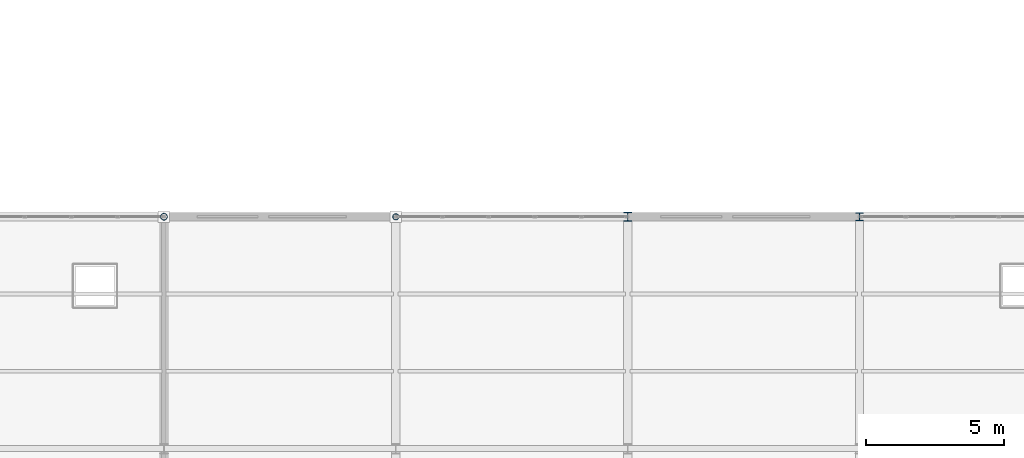
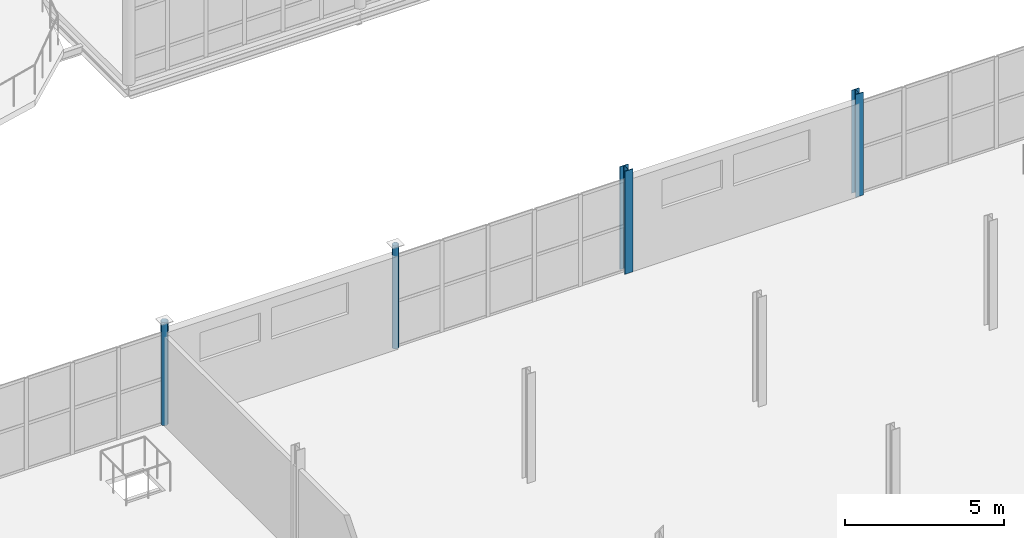
# One storey, part 20 of 163: 4 columns.
"""IFC4 building model written with IfcOpenShell, lengths in metres."""

import ifcopenshell
import ifcopenshell.guid

model = None  # the IFC model being written
_history = None  # IfcOwnerHistory: only IFC2X3 demands one
_inside = {}  # id of a spatial element -> (the spatial element, [elements in it])
_under = {}  # id of a project, library or spatial element -> (it, [spatial elements below it])
_declared = {}  # id of a project -> (the project, [libraries it declares])
_typed = {}  # id of a type object -> (the type object, [elements of that type])
_made_of = {}  # id of a material, layer set ... -> (it, [elements and type objects made of it])


def new_model(schema):
    """Start an empty IFC model of exactly this schema.

    Asked for "IFC4X3", IfcOpenShell would pick the latest addendum, in which some entities
    have other attributes; the version numbers below select the first issue.
    IFC2X3 requires an IfcOwnerHistory on every rooted entity: one is made here for all.
    """
    global model, _history
    if schema == "IFC4X3":
        model = ifcopenshell.file(schema_version=(4, 3, 0, 0))
    else:
        model = ifcopenshell.file(schema=schema)
    _inside.clear()
    _under.clear()
    _declared.clear()
    _typed.clear()
    _made_of.clear()
    _history = None
    if model.schema == "IFC2X3":
        org = make("IfcOrganization", Name="unknown")
        user = make(
            "IfcPersonAndOrganization",
            ThePerson=make("IfcPerson", FamilyName="unknown"),
            TheOrganization=org,
        )
        app = make(
            "IfcApplication",
            ApplicationDeveloper=org,
            Version="unknown",
            ApplicationFullName="unknown",
            ApplicationIdentifier="unknown",
        )
        _history = make(
            "IfcOwnerHistory",
            OwningUser=user,
            OwningApplication=app,
            ChangeAction="ADDED",
            CreationDate=0,
        )
    return model


def make(cls, **values):
    """One entity of the class cls with the attributes given. An attribute that is None is left unset."""
    return model.create_entity(
        cls, **{name: value for name, value in values.items() if value is not None}
    )


def rooted(cls, **values):
    """An entity with a GlobalId (a new one), such as an element, a storey or a relation."""
    return make(cls, GlobalId=ifcopenshell.guid.new(), OwnerHistory=_history, **values)


def si_unit(unit_type, name, prefix=None):
    """IfcSIUnit, for example si_unit("LENGTHUNIT", "METRE", prefix="MILLI")."""
    return make("IfcSIUnit", UnitType=unit_type, Prefix=prefix, Name=name)


def assignment(units):
    """IfcUnitAssignment: the units of a project."""
    return None if units is None else make("IfcUnitAssignment", Units=units)


def point(xyz):
    """IfcCartesianPoint."""
    return None if xyz is None else make("IfcCartesianPoint", Coordinates=xyz)


def direction(xyz):
    """IfcDirection."""
    return None if xyz is None else make("IfcDirection", DirectionRatios=xyz)


def frame(location, z_axis=None, x_axis=None):
    """IfcAxis2Placement3D, a coordinate frame: its origin and axes. An axis left out is left unset."""
    return make(
        "IfcAxis2Placement3D",
        Location=point(location),
        Axis=direction(z_axis),
        RefDirection=direction(x_axis),
    )


def frame_2d(location, x_axis=None):
    """IfcAxis2Placement2D, a coordinate frame in the plane: its origin and x axis."""
    return make(
        "IfcAxis2Placement2D", Location=point(location), RefDirection=direction(x_axis)
    )


def origin():
    """The frame at (0, 0, 0) with its axes left unset."""
    return frame((0.0, 0.0, 0.0))


def origin_2d():
    """The frame at (0, 0) in the plane with its x axis left unset."""
    return frame_2d((0.0, 0.0))


def place(relative_to, where):
    """IfcLocalPlacement: puts the frame where relative to a parent placement (None: the world)."""
    return make(
        "IfcLocalPlacement", PlacementRelTo=relative_to, RelativePlacement=where
    )


def context(
    kind, dimensions, precision=None, world=None, true_north=None, identifier=None
):
    """IfcGeometricRepresentationContext, for example the 3D "Model" context."""
    return make(
        "IfcGeometricRepresentationContext",
        ContextIdentifier=identifier,
        ContextType=kind,
        CoordinateSpaceDimension=dimensions,
        Precision=precision,
        WorldCoordinateSystem=world,
        TrueNorth=true_north,
    )


def subcontext(parent, identifier, kind, view, scale=None):
    """IfcGeometricRepresentationSubContext, for example "Body" below "Model"."""
    return make(
        "IfcGeometricRepresentationSubContext",
        ContextIdentifier=identifier,
        ContextType=kind,
        ParentContext=parent,
        TargetScale=scale,
        TargetView=view,
    )


def project(units=None, contexts=None):
    """IfcProject with its units and contexts."""
    return rooted(
        "IfcProject",
        Name="project",
        RepresentationContexts=contexts,
        UnitsInContext=assignment(units),
    )


def spatial(cls, under=None, at=None, **own):
    """A site, building, storey or space (cls), placed at a placement, below another one or the project."""
    s = rooted(cls, ObjectPlacement=at, **own)
    if under is not None:
        _under.setdefault(under.id(), (under, []))[1].append(s)
    return s


def profile(cls, at=None, kind="AREA", **sizes):
    """A parametric profile (cls). Its sizes go by their IFC names, for example OverallWidth=200.0."""
    return make(cls, ProfileType=kind, Position=at, **sizes)


def hollow_circle(**sizes):
    """IfcCircleHollowProfileDef."""
    return profile("IfcCircleHollowProfileDef", **sizes)


def i_section(**sizes):
    """IfcIShapeProfileDef."""
    return profile("IfcIShapeProfileDef", **sizes)


def extrude(swept, where, along, depth):
    """IfcExtrudedAreaSolid: the profile swept, set in the frame where, extruded along a direction by depth."""
    return make(
        "IfcExtrudedAreaSolid",
        SweptArea=swept,
        Position=where,
        ExtrudedDirection=direction(along),
        Depth=depth,
    )


def shape(context_of_items, identifier, shape_type, items):
    """IfcShapeRepresentation: the items that make up one representation, for example the "Body"."""
    return make(
        "IfcShapeRepresentation",
        ContextOfItems=context_of_items,
        RepresentationIdentifier=identifier,
        RepresentationType=shape_type,
        Items=items,
    )


def material(Name=None, Category=None):
    """IfcMaterial."""
    return make("IfcMaterial", Name=Name, Category=Category)


def material_profile(
    of_material, cross_section, Name=None, Category=None, Priority=None
):
    """IfcMaterialProfile: a cross section and its material."""
    return make(
        "IfcMaterialProfile",
        Name=Name,
        Material=of_material,
        Profile=cross_section,
        Priority=Priority,
        Category=Category,
    )


def profile_set(profiles, Name=None, composite=None):
    """IfcMaterialProfileSet."""
    return make(
        "IfcMaterialProfileSet",
        Name=Name,
        MaterialProfiles=profiles,
        CompositeProfile=composite,
    )


def made_of(thing, what):
    """Note that an element or type object is made of a material, layer set ...; save() writes the relation."""
    if what is not None:
        _made_of.setdefault(what.id(), (what, []))[1].append(thing)
    return thing


def type_object(cls, material=None, **own):
    """A type object (cls), such as IfcWallType, which elements share."""
    return made_of(rooted(cls, **own), material)


def element(
    cls,
    number,
    at=None,
    inside=None,
    cuts=None,
    type_object=None,
    material=None,
    context=None,
    identifier="Body",
    shape_type=None,
    held_by="IfcProductDefinitionShape",
    body=None,
    shapes=None,
    **own,
):
    """One element of the class cls, such as IfcWall. Its Tag is "e" and its number.

    at: its placement. inside: the storey or other place that contains it. cuts: it is an
    opening in that element (IfcRelVoidsElement). A single representation is given by context,
    identifier, shape_type and body (its items); several are given by shapes. held_by: the class
    of the entity that holds the representations. save() writes the other relations.
    """
    e = rooted(cls, Tag="e%d" % number, ObjectPlacement=at, **own)
    if body is not None:
        shapes = [shape(context, identifier, shape_type, body)]
    if shapes is not None:
        e.Representation = make(held_by, Representations=shapes)
    if inside is not None:
        _inside.setdefault(inside.id(), (inside, []))[1].append(e)
    if cuts is not None:
        rooted(
            "IfcRelVoidsElement", RelatingBuildingElement=cuts, RelatedOpeningElement=e
        )
    if type_object is not None:
        _typed.setdefault(type_object.id(), (type_object, []))[1].append(e)
    return made_of(e, material)


def aggregate(whole, parts):
    """IfcRelAggregates: a whole, such as a stair, and the parts it consists of."""
    return rooted("IfcRelAggregates", RelatingObject=whole, RelatedObjects=parts)


def save(model, path):
    """Write the relations noted so far, then the file.

    IfcRelAggregates (storeys below a building ...), IfcRelContainedInSpatialStructure (elements
    in a storey), IfcRelDefinesByType, IfcRelAssociatesMaterial and IfcRelDeclares: one each for
    every whole, place, type object, material and project.
    """
    for whole, parts in _under.values():
        aggregate(whole, parts)
    for where, things in _inside.values():
        rooted(
            "IfcRelContainedInSpatialStructure",
            RelatedElements=things,
            RelatingStructure=where,
        )
    for kind, things in _typed.values():
        rooted("IfcRelDefinesByType", RelatedObjects=things, RelatingType=kind)
    for what, things in _made_of.values():
        rooted("IfcRelAssociatesMaterial", RelatedObjects=things, RelatingMaterial=what)
    for by, libraries in _declared.values():
        rooted("IfcRelDeclares", RelatingContext=by, RelatedDefinitions=libraries)
    model.write(path)


model = new_model("IFC4")

# Units and contexts
model_context = context("Model", 3, precision=1e-05, world=origin(), true_north=direction((0.0, 1.0)))
body_context = subcontext(model_context, "Body", "Model", "MODEL_VIEW")
ifc_project = project(units=[si_unit("LENGTHUNIT", "METRE"), si_unit("AREAUNIT", "SQUARE_METRE"), si_unit("VOLUMEUNIT", "CUBIC_METRE"), si_unit("PLANEANGLEUNIT", "RADIAN"), si_unit("MASSUNIT", "GRAM", prefix="KILO")], contexts=[model_context])

# Site, building, storey
site_placement = place(None, origin())
site = spatial("IfcSite", under=ifc_project, at=site_placement, CompositionType="ELEMENT")
building_placement = place(site_placement, origin())
building = spatial("IfcBuilding", under=site, at=building_placement, Name="Qalvenar Corner Mobility Hub", CompositionType="ELEMENT")
storey_placement = place(building_placement, frame((0.0, 0.0, 4.800048828125)))
storey = spatial("IfcBuildingStorey", under=building, at=storey_placement, Name="L01", CompositionType="ELEMENT", Elevation=4.800048828125)

# Columns
ifc_material = material(Name="Steel S355", Category="steel")
ifc_material_profile_1 = material_profile(ifc_material, hollow_circle(Radius=0.109619140625, WallThickness=0.008056640625, at=origin_2d()), Name="CHS219.1x8")
ifc_profile_set_1 = profile_set([ifc_material_profile_1], Name="Steel S355")
column_type_1 = type_object("IfcColumnType", Name="COL-CHS219", PredefinedType="COLUMN", material=ifc_profile_set_1)
column_1_placement = place(storey_placement, frame((142.800048828125, 50.39990234375, 0.0), z_axis=(0.0, 0.0, 1.0), x_axis=(1.0, 0.0, 0.0)))
element("IfcColumn", 1, at=column_1_placement, inside=storey, type_object=column_type_1, Name="Steel Column L01-G18-6", PredefinedType="COLUMN", context=body_context, shape_type="SweptSolid", body=[
    extrude(hollow_circle(Radius=0.109619140625, WallThickness=0.008056640625, at=origin_2d()), origin(), (0.0, 0.0, 1.0), 3.9580078125),
])
ifc_material_profile_2 = material_profile(ifc_material, hollow_circle(Radius=0.122314453125, WallThickness=0.008056640625, at=origin_2d()), Name="CHS244.5x8")
ifc_profile_set_2 = profile_set([ifc_material_profile_2], Name="Steel S355")
column_type_2 = type_object("IfcColumnType", Name="COL-CHS244", PredefinedType="COLUMN", material=ifc_profile_set_2)
column_2_placement = place(storey_placement, frame((134.39990234375, 50.39990234375, 0.0), z_axis=(0.0, 0.0, 1.0), x_axis=(1.0, 0.0, 0.0)))
element("IfcColumn", 2, at=column_2_placement, inside=storey, type_object=column_type_2, Name="Steel Column L01-G17-6", PredefinedType="COLUMN", context=body_context, shape_type="SweptSolid", body=[
    extrude(hollow_circle(Radius=0.122314453125, WallThickness=0.008056640625, at=origin_2d()), origin(), (0.0, 0.0, 1.0), 3.9580078125),
])
ifc_material_profile_3 = material_profile(ifc_material, i_section(OverallWidth=0.280029296875, OverallDepth=0.280029296875, WebThickness=0.010498046875, FlangeThickness=0.01806640625, FilletRadius=0.02392578125, at=origin_2d()), Name="HEB280")
ifc_profile_set_3 = profile_set([ifc_material_profile_3], Name="Steel S355")
column_type_3 = type_object("IfcColumnType", Name="COL-HEB280", PredefinedType="COLUMN", material=ifc_profile_set_3)
column_3_placement = place(storey_placement, frame((159.60009765625, 50.39990234375, 0.0), z_axis=(0.0, 0.0, 1.0), x_axis=(1.0, 0.0, 0.0)))
element("IfcColumn", 3, at=column_3_placement, inside=storey, type_object=column_type_3, Name="Steel Column L01-G20-6", PredefinedType="COLUMN", context=body_context, shape_type="SweptSolid", body=[
    extrude(i_section(OverallWidth=0.280029296875, OverallDepth=0.280029296875, WebThickness=0.010498046875, FlangeThickness=0.01806640625, FilletRadius=0.02392578125, at=origin_2d()), origin(), (0.0, 0.0, 1.0), 3.9580078125),
])
ifc_material_profile_4 = material_profile(ifc_material, i_section(OverallWidth=0.300048828125, OverallDepth=0.320068359375, WebThickness=0.011474609375, FlangeThickness=0.0205078125, FilletRadius=0.027099609375, at=origin_2d()), Name="HEB320")
ifc_profile_set_4 = profile_set([ifc_material_profile_4], Name="Steel S355")
column_type_4 = type_object("IfcColumnType", Name="COL-HEB320", PredefinedType="COLUMN", material=ifc_profile_set_4)
column_4_placement = place(storey_placement, frame((151.199951171875, 50.39990234375, 0.0), z_axis=(0.0, 0.0, 1.0), x_axis=(1.0, 0.0, 0.0)))
element("IfcColumn", 4, at=column_4_placement, inside=storey, type_object=column_type_4, Name="Steel Column L01-G19-6", PredefinedType="COLUMN", context=body_context, shape_type="SweptSolid", body=[
    extrude(i_section(OverallWidth=0.300048828125, OverallDepth=0.320068359375, WebThickness=0.011474609375, FlangeThickness=0.0205078125, FilletRadius=0.027099609375, at=origin_2d()), origin(), (0.0, 0.0, 1.0), 3.9580078125),
])

save(model, "model.ifc")
